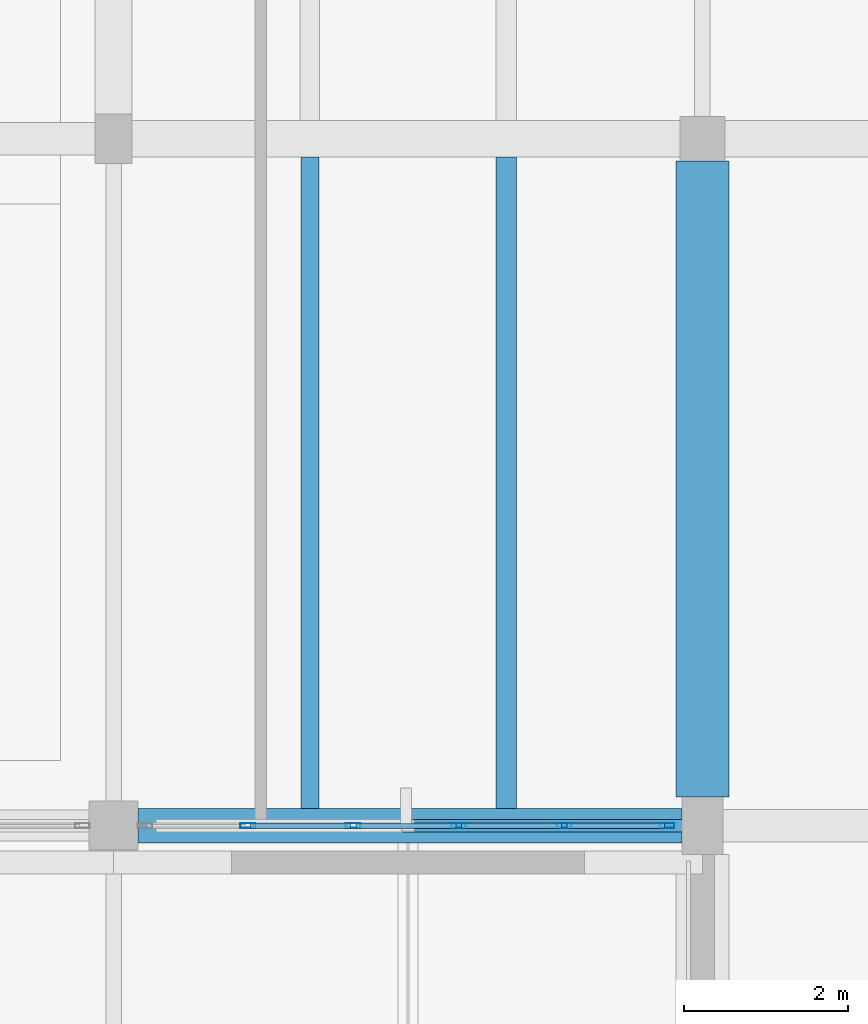
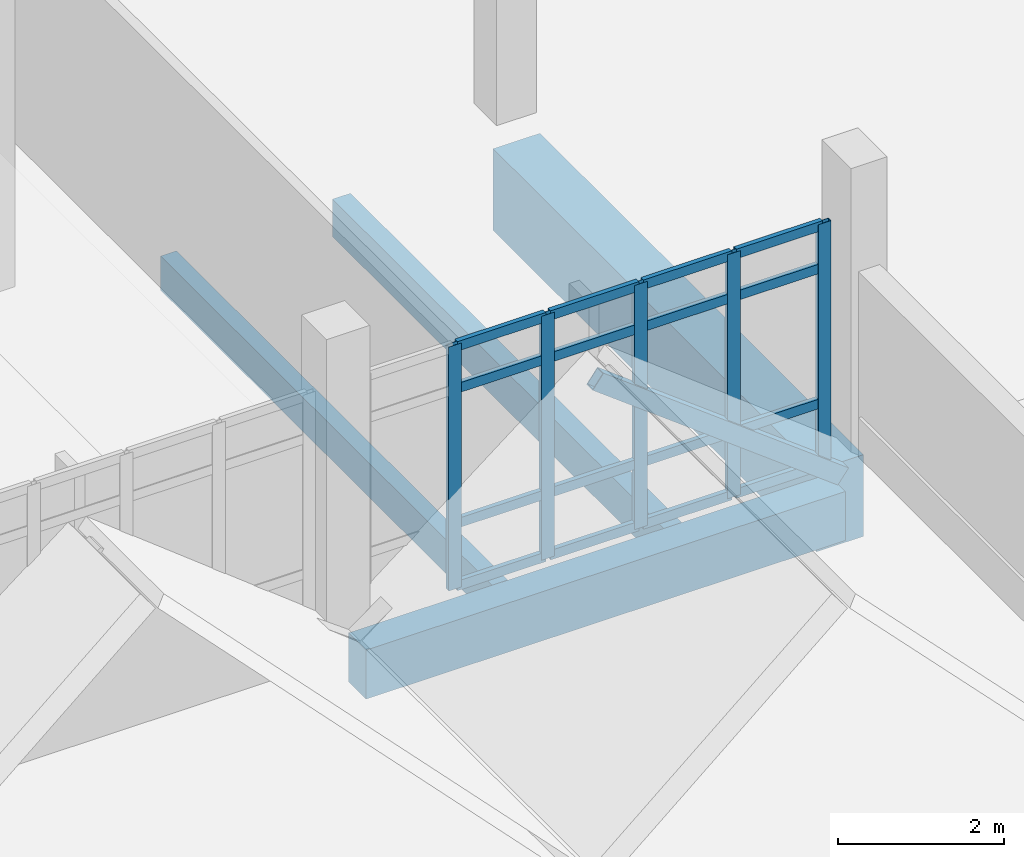
# One storey, part 11 of 41: 22 members, 4 beams, 1 element without a shape of its own.
"""IFC4 building model written with IfcOpenShell, lengths in metres."""

import ifcopenshell
import ifcopenshell.guid

model = None  # the IFC model being written
_history = None  # IfcOwnerHistory: only IFC2X3 demands one
_inside = {}  # id of a spatial element -> (the spatial element, [elements in it])
_under = {}  # id of a project, library or spatial element -> (it, [spatial elements below it])
_declared = {}  # id of a project -> (the project, [libraries it declares])
_typed = {}  # id of a type object -> (the type object, [elements of that type])
_made_of = {}  # id of a material, layer set ... -> (it, [elements and type objects made of it])


def new_model(schema):
    """Start an empty IFC model of exactly this schema.

    Asked for "IFC4X3", IfcOpenShell would pick the latest addendum, in which some entities
    have other attributes; the version numbers below select the first issue.
    IFC2X3 requires an IfcOwnerHistory on every rooted entity: one is made here for all.
    """
    global model, _history
    if schema == "IFC4X3":
        model = ifcopenshell.file(schema_version=(4, 3, 0, 0))
    else:
        model = ifcopenshell.file(schema=schema)
    _inside.clear()
    _under.clear()
    _declared.clear()
    _typed.clear()
    _made_of.clear()
    _history = None
    if model.schema == "IFC2X3":
        org = make("IfcOrganization", Name="unknown")
        user = make(
            "IfcPersonAndOrganization",
            ThePerson=make("IfcPerson", FamilyName="unknown"),
            TheOrganization=org,
        )
        app = make(
            "IfcApplication",
            ApplicationDeveloper=org,
            Version="unknown",
            ApplicationFullName="unknown",
            ApplicationIdentifier="unknown",
        )
        _history = make(
            "IfcOwnerHistory",
            OwningUser=user,
            OwningApplication=app,
            ChangeAction="ADDED",
            CreationDate=0,
        )
    return model


def make(cls, **values):
    """One entity of the class cls with the attributes given. An attribute that is None is left unset."""
    return model.create_entity(
        cls, **{name: value for name, value in values.items() if value is not None}
    )


def rooted(cls, **values):
    """An entity with a GlobalId (a new one), such as an element, a storey or a relation."""
    return make(cls, GlobalId=ifcopenshell.guid.new(), OwnerHistory=_history, **values)


def si_unit(unit_type, name, prefix=None):
    """IfcSIUnit, for example si_unit("LENGTHUNIT", "METRE", prefix="MILLI")."""
    return make("IfcSIUnit", UnitType=unit_type, Prefix=prefix, Name=name)


def assignment(units):
    """IfcUnitAssignment: the units of a project."""
    return None if units is None else make("IfcUnitAssignment", Units=units)


def point(xyz):
    """IfcCartesianPoint."""
    return None if xyz is None else make("IfcCartesianPoint", Coordinates=xyz)


def direction(xyz):
    """IfcDirection."""
    return None if xyz is None else make("IfcDirection", DirectionRatios=xyz)


def frame(location, z_axis=None, x_axis=None):
    """IfcAxis2Placement3D, a coordinate frame: its origin and axes. An axis left out is left unset."""
    return make(
        "IfcAxis2Placement3D",
        Location=point(location),
        Axis=direction(z_axis),
        RefDirection=direction(x_axis),
    )


def frame_2d(location, x_axis=None):
    """IfcAxis2Placement2D, a coordinate frame in the plane: its origin and x axis."""
    return make(
        "IfcAxis2Placement2D", Location=point(location), RefDirection=direction(x_axis)
    )


def origin():
    """The frame at (0, 0, 0) with its axes left unset."""
    return frame((0.0, 0.0, 0.0))


def origin_2d():
    """The frame at (0, 0) in the plane with its x axis left unset."""
    return frame_2d((0.0, 0.0))


def place(relative_to, where):
    """IfcLocalPlacement: puts the frame where relative to a parent placement (None: the world)."""
    return make(
        "IfcLocalPlacement", PlacementRelTo=relative_to, RelativePlacement=where
    )


def context(
    kind, dimensions, precision=None, world=None, true_north=None, identifier=None
):
    """IfcGeometricRepresentationContext, for example the 3D "Model" context."""
    return make(
        "IfcGeometricRepresentationContext",
        ContextIdentifier=identifier,
        ContextType=kind,
        CoordinateSpaceDimension=dimensions,
        Precision=precision,
        WorldCoordinateSystem=world,
        TrueNorth=true_north,
    )


def subcontext(parent, identifier, kind, view, scale=None):
    """IfcGeometricRepresentationSubContext, for example "Body" below "Model"."""
    return make(
        "IfcGeometricRepresentationSubContext",
        ContextIdentifier=identifier,
        ContextType=kind,
        ParentContext=parent,
        TargetScale=scale,
        TargetView=view,
    )


def project(units=None, contexts=None):
    """IfcProject with its units and contexts."""
    return rooted(
        "IfcProject",
        Name="project",
        RepresentationContexts=contexts,
        UnitsInContext=assignment(units),
    )


def spatial(cls, under=None, at=None, **own):
    """A site, building, storey or space (cls), placed at a placement, below another one or the project."""
    s = rooted(cls, ObjectPlacement=at, **own)
    if under is not None:
        _under.setdefault(under.id(), (under, []))[1].append(s)
    return s


def profile(cls, at=None, kind="AREA", **sizes):
    """A parametric profile (cls). Its sizes go by their IFC names, for example OverallWidth=200.0."""
    return make(cls, ProfileType=kind, Position=at, **sizes)


def rectangle(**sizes):
    """IfcRectangleProfileDef."""
    return profile("IfcRectangleProfileDef", **sizes)


def hollow_rectangle(**sizes):
    """IfcRectangleHollowProfileDef."""
    return profile("IfcRectangleHollowProfileDef", **sizes)


def extrude(swept, where, along, depth):
    """IfcExtrudedAreaSolid: the profile swept, set in the frame where, extruded along a direction by depth."""
    return make(
        "IfcExtrudedAreaSolid",
        SweptArea=swept,
        Position=where,
        ExtrudedDirection=direction(along),
        Depth=depth,
    )


def shape(context_of_items, identifier, shape_type, items):
    """IfcShapeRepresentation: the items that make up one representation, for example the "Body"."""
    return make(
        "IfcShapeRepresentation",
        ContextOfItems=context_of_items,
        RepresentationIdentifier=identifier,
        RepresentationType=shape_type,
        Items=items,
    )


def material(Name=None, Category=None):
    """IfcMaterial."""
    return make("IfcMaterial", Name=Name, Category=Category)


def material_profile(
    of_material, cross_section, Name=None, Category=None, Priority=None
):
    """IfcMaterialProfile: a cross section and its material."""
    return make(
        "IfcMaterialProfile",
        Name=Name,
        Material=of_material,
        Profile=cross_section,
        Priority=Priority,
        Category=Category,
    )


def profile_set(profiles, Name=None, composite=None):
    """IfcMaterialProfileSet."""
    return make(
        "IfcMaterialProfileSet",
        Name=Name,
        MaterialProfiles=profiles,
        CompositeProfile=composite,
    )


def made_of(thing, what):
    """Note that an element or type object is made of a material, layer set ...; save() writes the relation."""
    if what is not None:
        _made_of.setdefault(what.id(), (what, []))[1].append(thing)
    return thing


def type_object(cls, material=None, **own):
    """A type object (cls), such as IfcWallType, which elements share."""
    return made_of(rooted(cls, **own), material)


def element(
    cls,
    number,
    at=None,
    inside=None,
    cuts=None,
    type_object=None,
    material=None,
    context=None,
    identifier="Body",
    shape_type=None,
    held_by="IfcProductDefinitionShape",
    body=None,
    shapes=None,
    **own,
):
    """One element of the class cls, such as IfcWall. Its Tag is "e" and its number.

    at: its placement. inside: the storey or other place that contains it. cuts: it is an
    opening in that element (IfcRelVoidsElement). A single representation is given by context,
    identifier, shape_type and body (its items); several are given by shapes. held_by: the class
    of the entity that holds the representations. save() writes the other relations.
    """
    e = rooted(cls, Tag="e%d" % number, ObjectPlacement=at, **own)
    if body is not None:
        shapes = [shape(context, identifier, shape_type, body)]
    if shapes is not None:
        e.Representation = make(held_by, Representations=shapes)
    if inside is not None:
        _inside.setdefault(inside.id(), (inside, []))[1].append(e)
    if cuts is not None:
        rooted(
            "IfcRelVoidsElement", RelatingBuildingElement=cuts, RelatedOpeningElement=e
        )
    if type_object is not None:
        _typed.setdefault(type_object.id(), (type_object, []))[1].append(e)
    return made_of(e, material)


def aggregate(whole, parts):
    """IfcRelAggregates: a whole, such as a stair, and the parts it consists of."""
    return rooted("IfcRelAggregates", RelatingObject=whole, RelatedObjects=parts)


def save(model, path):
    """Write the relations noted so far, then the file.

    IfcRelAggregates (storeys below a building ...), IfcRelContainedInSpatialStructure (elements
    in a storey), IfcRelDefinesByType, IfcRelAssociatesMaterial and IfcRelDeclares: one each for
    every whole, place, type object, material and project.
    """
    for whole, parts in _under.values():
        aggregate(whole, parts)
    for where, things in _inside.values():
        rooted(
            "IfcRelContainedInSpatialStructure",
            RelatedElements=things,
            RelatingStructure=where,
        )
    for kind, things in _typed.values():
        rooted("IfcRelDefinesByType", RelatedObjects=things, RelatingType=kind)
    for what, things in _made_of.values():
        rooted("IfcRelAssociatesMaterial", RelatedObjects=things, RelatingMaterial=what)
    for by, libraries in _declared.values():
        rooted("IfcRelDeclares", RelatingContext=by, RelatedDefinitions=libraries)
    model.write(path)


model = new_model("IFC4")

# Units and contexts
model_context = context("Model", 3, precision=1e-05, world=origin(), true_north=direction((0.0, 1.0)))
body_context = subcontext(model_context, "Body", "Model", "MODEL_VIEW")
ifc_project = project(units=[si_unit("LENGTHUNIT", "METRE"), si_unit("AREAUNIT", "SQUARE_METRE"), si_unit("VOLUMEUNIT", "CUBIC_METRE"), si_unit("PLANEANGLEUNIT", "RADIAN"), si_unit("MASSUNIT", "GRAM", prefix="KILO")], contexts=[model_context])

# Site, building, storey
site_placement = place(None, origin())
site = spatial("IfcSite", under=ifc_project, at=site_placement, CompositionType="ELEMENT")
building_placement = place(site_placement, origin())
building = spatial("IfcBuilding", under=site, at=building_placement, Name="Kalluvel Institute of Natural Sciences", CompositionType="ELEMENT")
storey_placement = place(building_placement, frame((0.0, 0.0, 32.39990234375)))
storey = spatial("IfcBuildingStorey", under=building, at=storey_placement, Name="L07", CompositionType="ELEMENT", Elevation=32.39990234375)

# Beams
ifc_material_1 = material(Name="Concrete M40", Category="concrete")
ifc_material_profile_1 = material_profile(ifc_material_1, rectangle(XDim=0.419921875, YDim=0.719970703125, at=origin_2d()), Name="RCB 420x720")
ifc_profile_set_1 = profile_set([ifc_material_profile_1], Name="Concrete M40")
beam_type_1 = type_object("IfcBeamType", Name="BM-RC420x720", PredefinedType="BEAM", material=ifc_profile_set_1)
beam_1_placement = place(storey_placement, frame((28.699951171875, 102.800048828125, -0.679931640625), z_axis=(1.0, 0.0, 0.0), x_axis=(0.0, 1.0, 0.0)))
element("IfcBeam", 1, at=beam_1_placement, inside=storey, type_object=beam_type_1, Name="L07 girder GIR-L07-EW-X284-Y1028", PredefinedType="BEAM", context=body_context, shape_type="SweptSolid", body=[
    extrude(rectangle(XDim=0.419921875, YDim=0.719970703125, at=origin_2d()), origin(), (0.0, 0.0, 1.0), 6.650146484375),
])
ifc_material_2 = material(Name="Concrete M50", Category="concrete")
ifc_material_profile_2 = material_profile(ifc_material_2, rectangle(XDim=0.64990234375, YDim=1.199951171875, at=origin_2d()), Name="RCB 650x1200")
ifc_profile_set_2 = profile_set([ifc_material_profile_2], Name="Concrete M50")
beam_type_2 = type_object("IfcBeamType", Name="BM-RC650x1200", PredefinedType="BEAM", material=ifc_profile_set_2)
beam_2_placement = place(storey_placement, frame((35.60009765625, 103.14990234375, -0.919921875), z_axis=(0.0, 1.0, 0.0), x_axis=(-1.0, 0.0, 0.0)))
element("IfcBeam", 2, at=beam_2_placement, inside=storey, type_object=beam_type_2, Name="L07 girder GIR-L07-NS-X356-Y1028", PredefinedType="BEAM", context=body_context, shape_type="SweptSolid", body=[
    extrude(rectangle(XDim=0.64990234375, YDim=1.199951171875, at=origin_2d()), origin(), (0.0, 0.0, 1.0), 7.775146484375),
])

# Curtain wall, members
ifc_material_3 = material(Name="Aluminium AW-6063 T6", Category="aluminium")
curtain_wall_type = type_object("IfcCurtainWallType", Name="CW-WET-45", PredefinedType="USERDEFINED", material=ifc_material_3)
curtain_wall_placement = place(storey_placement, origin())
curtain_wall = element("IfcCurtainWall", 3, at=curtain_wall_placement, inside=storey, type_object=curtain_wall_type, Name="L07 Gothic lancet curtain wall CWA-L07-X288-Y1028", ObjectType="UNITISED LANCET FACADE", PredefinedType="USERDEFINED")
ifc_material_profile_3 = material_profile(ifc_material_3, hollow_rectangle(XDim=0.06494140625, YDim=0.179931640625, WallThickness=0.00439453125, at=origin_2d()), Name="CWM 65x180")
ifc_profile_set_3 = profile_set([ifc_material_profile_3], Name="Aluminium AW-6063 T6")
member_type_1 = type_object("IfcMemberType", Name="CWM-65x180", PredefinedType="MULLION", material=ifc_profile_set_3)
member_1_placement = place(storey_placement, frame((30.0400390625, 102.800048828125, 0.0), z_axis=(0.0, 0.0, 1.0), x_axis=(0.0, 1.0, 0.0)))
member_1 = element("IfcMember", 4, at=member_1_placement, type_object=member_type_1, Name="CW-01 mullion 2", PredefinedType="MULLION", context=body_context, shape_type="SweptSolid", body=[
    extrude(hollow_rectangle(XDim=0.06494140625, YDim=0.179931640625, WallThickness=0.00439453125, at=origin_2d()), origin(), (0.0, 0.0, 1.0), 3.580078125),
])
member_2_placement = place(storey_placement, frame((31.330078125, 102.800048828125, 0.0), z_axis=(0.0, 0.0, 1.0), x_axis=(0.0, 1.0, 0.0)))
member_2 = element("IfcMember", 5, at=member_2_placement, type_object=member_type_1, Name="CW-01 mullion 3", PredefinedType="MULLION", context=body_context, shape_type="SweptSolid", body=[
    extrude(hollow_rectangle(XDim=0.06494140625, YDim=0.179931640625, WallThickness=0.00439453125, at=origin_2d()), origin(), (0.0, 0.0, 1.0), 3.580078125),
])
member_3_placement = place(storey_placement, frame((32.6201171875, 102.800048828125, 0.0), z_axis=(0.0, 0.0, 1.0), x_axis=(0.0, 1.0, 0.0)))
member_3 = element("IfcMember", 6, at=member_3_placement, type_object=member_type_1, Name="CW-01 mullion 4", PredefinedType="MULLION", context=body_context, shape_type="SweptSolid", body=[
    extrude(hollow_rectangle(XDim=0.06494140625, YDim=0.179931640625, WallThickness=0.00439453125, at=origin_2d()), origin(), (0.0, 0.0, 1.0), 3.580078125),
])
member_4_placement = place(storey_placement, frame((33.909912109375, 102.800048828125, 0.0), z_axis=(0.0, 0.0, 1.0), x_axis=(0.0, 1.0, 0.0)))
member_4 = element("IfcMember", 7, at=member_4_placement, type_object=member_type_1, Name="CW-01 mullion 5", PredefinedType="MULLION", context=body_context, shape_type="SweptSolid", body=[
    extrude(hollow_rectangle(XDim=0.06494140625, YDim=0.179931640625, WallThickness=0.00439453125, at=origin_2d()), origin(), (0.0, 0.0, 1.0), 3.580078125),
])
member_5_placement = place(storey_placement, frame((35.16748046875, 102.800048828125, 0.0), z_axis=(0.0, 0.0, 1.0), x_axis=(0.0, 1.0, 0.0)))
member_5 = element("IfcMember", 8, at=member_5_placement, type_object=member_type_1, Name="CW-01 mullion 6", PredefinedType="MULLION", context=body_context, shape_type="SweptSolid", body=[
    extrude(hollow_rectangle(XDim=0.06494140625, YDim=0.179931640625, WallThickness=0.00439453125, at=origin_2d()), origin(), (0.0, 0.0, 1.0), 3.580078125),
])
ifc_material_profile_4 = material_profile(ifc_material_3, hollow_rectangle(XDim=0.06494140625, YDim=0.139892578125, WallThickness=0.00439453125, at=origin_2d()), Name="CWT 65x140")
ifc_profile_set_4 = profile_set([ifc_material_profile_4], Name="Aluminium AW-6063 T6")
member_type_2 = type_object("IfcMemberType", Name="CWT-65x140", PredefinedType="USERDEFINED", material=ifc_profile_set_4)
member_6_placement = place(storey_placement, frame((30.072509765625, 102.800048828125, 0.03271484375), z_axis=(1.0, 0.0, 0.0), x_axis=(0.0, 1.0, 0.0)))
member_6 = element("IfcMember", 9, at=member_6_placement, type_object=member_type_2, Name="CW-01 transom 2.1", ObjectType="TRANSOM", PredefinedType="USERDEFINED", context=body_context, shape_type="SweptSolid", body=[
    extrude(hollow_rectangle(XDim=0.06494140625, YDim=0.139892578125, WallThickness=0.00439453125, at=origin_2d()), origin(), (0.0, 0.0, 1.0), 1.22509765625),
])
member_7_placement = place(storey_placement, frame((30.072509765625, 102.800048828125, 0.9501953125), z_axis=(1.0, 0.0, 0.0), x_axis=(0.0, 1.0, 0.0)))
member_7 = element("IfcMember", 10, at=member_7_placement, type_object=member_type_2, Name="CW-01 transom 2.2", ObjectType="TRANSOM", PredefinedType="USERDEFINED", context=body_context, shape_type="SweptSolid", body=[
    extrude(hollow_rectangle(XDim=0.06494140625, YDim=0.139892578125, WallThickness=0.00439453125, at=origin_2d()), origin(), (0.0, 0.0, 1.0), 1.22509765625),
])
member_8_placement = place(storey_placement, frame((30.072509765625, 102.800048828125, 2.93017578125), z_axis=(1.0, 0.0, 0.0), x_axis=(0.0, 1.0, 0.0)))
member_8 = element("IfcMember", 11, at=member_8_placement, type_object=member_type_2, Name="CW-01 transom 2.3", ObjectType="TRANSOM", PredefinedType="USERDEFINED", context=body_context, shape_type="SweptSolid", body=[
    extrude(hollow_rectangle(XDim=0.06494140625, YDim=0.139892578125, WallThickness=0.00439453125, at=origin_2d()), origin(), (0.0, 0.0, 1.0), 1.22509765625),
])
member_9_placement = place(storey_placement, frame((30.072509765625, 102.800048828125, 3.547607421875), z_axis=(1.0, 0.0, 0.0), x_axis=(0.0, 1.0, 0.0)))
member_9 = element("IfcMember", 12, at=member_9_placement, type_object=member_type_2, Name="CW-01 transom 2.4", ObjectType="TRANSOM", PredefinedType="USERDEFINED", context=body_context, shape_type="SweptSolid", body=[
    extrude(hollow_rectangle(XDim=0.06494140625, YDim=0.139892578125, WallThickness=0.00439453125, at=origin_2d()), origin(), (0.0, 0.0, 1.0), 1.22509765625),
])
member_10_placement = place(storey_placement, frame((31.362548828125, 102.800048828125, 0.03271484375), z_axis=(1.0, 0.0, 0.0), x_axis=(0.0, 1.0, 0.0)))
member_10 = element("IfcMember", 13, at=member_10_placement, type_object=member_type_2, Name="CW-01 transom 3.1", ObjectType="TRANSOM", PredefinedType="USERDEFINED", context=body_context, shape_type="SweptSolid", body=[
    extrude(hollow_rectangle(XDim=0.06494140625, YDim=0.139892578125, WallThickness=0.00439453125, at=origin_2d()), origin(), (0.0, 0.0, 1.0), 1.224853515625),
])
member_11_placement = place(storey_placement, frame((31.362548828125, 102.800048828125, 0.9501953125), z_axis=(1.0, 0.0, 0.0), x_axis=(0.0, 1.0, 0.0)))
member_11 = element("IfcMember", 14, at=member_11_placement, type_object=member_type_2, Name="CW-01 transom 3.2", ObjectType="TRANSOM", PredefinedType="USERDEFINED", context=body_context, shape_type="SweptSolid", body=[
    extrude(hollow_rectangle(XDim=0.06494140625, YDim=0.139892578125, WallThickness=0.00439453125, at=origin_2d()), origin(), (0.0, 0.0, 1.0), 1.224853515625),
])
member_12_placement = place(storey_placement, frame((31.362548828125, 102.800048828125, 2.93017578125), z_axis=(1.0, 0.0, 0.0), x_axis=(0.0, 1.0, 0.0)))
member_12 = element("IfcMember", 15, at=member_12_placement, type_object=member_type_2, Name="CW-01 transom 3.3", ObjectType="TRANSOM", PredefinedType="USERDEFINED", context=body_context, shape_type="SweptSolid", body=[
    extrude(hollow_rectangle(XDim=0.06494140625, YDim=0.139892578125, WallThickness=0.00439453125, at=origin_2d()), origin(), (0.0, 0.0, 1.0), 1.224853515625),
])
member_13_placement = place(storey_placement, frame((31.362548828125, 102.800048828125, 3.547607421875), z_axis=(1.0, 0.0, 0.0), x_axis=(0.0, 1.0, 0.0)))
member_13 = element("IfcMember", 16, at=member_13_placement, type_object=member_type_2, Name="CW-01 transom 3.4", ObjectType="TRANSOM", PredefinedType="USERDEFINED", context=body_context, shape_type="SweptSolid", body=[
    extrude(hollow_rectangle(XDim=0.06494140625, YDim=0.139892578125, WallThickness=0.00439453125, at=origin_2d()), origin(), (0.0, 0.0, 1.0), 1.224853515625),
])
member_14_placement = place(storey_placement, frame((32.652587890625, 102.800048828125, 0.03271484375), z_axis=(1.0, 0.0, 0.0), x_axis=(0.0, 1.0, 0.0)))
member_14 = element("IfcMember", 17, at=member_14_placement, type_object=member_type_2, Name="CW-01 transom 4.1", ObjectType="TRANSOM", PredefinedType="USERDEFINED", context=body_context, shape_type="SweptSolid", body=[
    extrude(hollow_rectangle(XDim=0.06494140625, YDim=0.139892578125, WallThickness=0.00439453125, at=origin_2d()), origin(), (0.0, 0.0, 1.0), 1.224853515625),
])
member_15_placement = place(storey_placement, frame((32.652587890625, 102.800048828125, 0.9501953125), z_axis=(1.0, 0.0, 0.0), x_axis=(0.0, 1.0, 0.0)))
member_15 = element("IfcMember", 18, at=member_15_placement, type_object=member_type_2, Name="CW-01 transom 4.2", ObjectType="TRANSOM", PredefinedType="USERDEFINED", context=body_context, shape_type="SweptSolid", body=[
    extrude(hollow_rectangle(XDim=0.06494140625, YDim=0.139892578125, WallThickness=0.00439453125, at=origin_2d()), origin(), (0.0, 0.0, 1.0), 1.224853515625),
])
member_16_placement = place(storey_placement, frame((32.652587890625, 102.800048828125, 2.93017578125), z_axis=(1.0, 0.0, 0.0), x_axis=(0.0, 1.0, 0.0)))
member_16 = element("IfcMember", 19, at=member_16_placement, type_object=member_type_2, Name="CW-01 transom 4.3", ObjectType="TRANSOM", PredefinedType="USERDEFINED", context=body_context, shape_type="SweptSolid", body=[
    extrude(hollow_rectangle(XDim=0.06494140625, YDim=0.139892578125, WallThickness=0.00439453125, at=origin_2d()), origin(), (0.0, 0.0, 1.0), 1.224853515625),
])
member_17_placement = place(storey_placement, frame((32.652587890625, 102.800048828125, 3.547607421875), z_axis=(1.0, 0.0, 0.0), x_axis=(0.0, 1.0, 0.0)))
member_17 = element("IfcMember", 20, at=member_17_placement, type_object=member_type_2, Name="CW-01 transom 4.4", ObjectType="TRANSOM", PredefinedType="USERDEFINED", context=body_context, shape_type="SweptSolid", body=[
    extrude(hollow_rectangle(XDim=0.06494140625, YDim=0.139892578125, WallThickness=0.00439453125, at=origin_2d()), origin(), (0.0, 0.0, 1.0), 1.224853515625),
])
member_18_placement = place(storey_placement, frame((33.9423828125, 102.800048828125, 0.03271484375), z_axis=(1.0, 0.0, 0.0), x_axis=(0.0, 1.0, 0.0)))
member_18 = element("IfcMember", 21, at=member_18_placement, type_object=member_type_2, Name="CW-01 transom 5.1", ObjectType="TRANSOM", PredefinedType="USERDEFINED", context=body_context, shape_type="SweptSolid", body=[
    extrude(hollow_rectangle(XDim=0.06494140625, YDim=0.139892578125, WallThickness=0.00439453125, at=origin_2d()), origin(), (0.0, 0.0, 1.0), 1.192626953125),
])
member_19_placement = place(storey_placement, frame((33.9423828125, 102.800048828125, 0.9501953125), z_axis=(1.0, 0.0, 0.0), x_axis=(0.0, 1.0, 0.0)))
member_19 = element("IfcMember", 22, at=member_19_placement, type_object=member_type_2, Name="CW-01 transom 5.2", ObjectType="TRANSOM", PredefinedType="USERDEFINED", context=body_context, shape_type="SweptSolid", body=[
    extrude(hollow_rectangle(XDim=0.06494140625, YDim=0.139892578125, WallThickness=0.00439453125, at=origin_2d()), origin(), (0.0, 0.0, 1.0), 1.192626953125),
])
member_20_placement = place(storey_placement, frame((33.9423828125, 102.800048828125, 2.93017578125), z_axis=(1.0, 0.0, 0.0), x_axis=(0.0, 1.0, 0.0)))
member_20 = element("IfcMember", 23, at=member_20_placement, type_object=member_type_2, Name="CW-01 transom 5.3", ObjectType="TRANSOM", PredefinedType="USERDEFINED", context=body_context, shape_type="SweptSolid", body=[
    extrude(hollow_rectangle(XDim=0.06494140625, YDim=0.139892578125, WallThickness=0.00439453125, at=origin_2d()), origin(), (0.0, 0.0, 1.0), 1.192626953125),
])
member_21_placement = place(storey_placement, frame((33.9423828125, 102.800048828125, 3.547607421875), z_axis=(1.0, 0.0, 0.0), x_axis=(0.0, 1.0, 0.0)))
member_21 = element("IfcMember", 24, at=member_21_placement, type_object=member_type_2, Name="CW-01 transom 5.4", ObjectType="TRANSOM", PredefinedType="USERDEFINED", context=body_context, shape_type="SweptSolid", body=[
    extrude(hollow_rectangle(XDim=0.06494140625, YDim=0.139892578125, WallThickness=0.00439453125, at=origin_2d()), origin(), (0.0, 0.0, 1.0), 1.192626953125),
])
aggregate(curtain_wall, [member_1, member_2, member_3, member_4, member_5, member_6, member_7, member_8, member_9, member_10, member_11, member_12, member_13, member_14, member_15, member_16, member_17, member_18, member_19, member_20, member_21])

# Member
ifc_material_4 = material(Name="Steel E350 Grade 350", Category="steel")
ifc_material_profile_5 = material_profile(ifc_material_4, hollow_rectangle(XDim=0.14990234375, YDim=0.25, WallThickness=0.010009765625, at=origin_2d()), Name="RHS 250x150x10")
ifc_profile_set_5 = profile_set([ifc_material_profile_5], Name="Steel E350 Grade 350")
member_type_3 = type_object("IfcMemberType", Name="MB-RAFT-RHS250", PredefinedType="RAFTER", material=ifc_profile_set_5)
member_22_placement = place(storey_placement, frame((35.39990234375, 102.800048828125, -0.199951171875), z_axis=(-0.796596284013, 0.0, 0.604511670935), x_axis=(0.0, -1.0, 0.0)))
element("IfcMember", 25, at=member_22_placement, inside=storey, type_object=member_type_3, Name="Dry Wing Gothic roof rafter E3-102", PredefinedType="RAFTER", context=body_context, shape_type="SweptSolid", body=[
    extrude(hollow_rectangle(XDim=0.14990234375, YDim=0.25, WallThickness=0.010009765625, at=origin_2d()), origin(), (0.0, 0.0, 1.0), 4.26806640625),
])

# Beams
ifc_material_profile_6 = material_profile(ifc_material_1, rectangle(XDim=0.219970703125, YDim=0.5, at=origin_2d()), Name="WAF 220x500")
ifc_profile_set_6 = profile_set([ifc_material_profile_6], Name="Concrete M40")
beam_type_3 = type_object("IfcBeamType", Name="WJ-220x500", PredefinedType="JOIST", material=ifc_profile_set_6)
beam_3_placement = place(storey_placement, frame((30.800048828125, 103.010009765625, -0.56982421875), z_axis=(0.0, 1.0, 0.0), x_axis=(-1.0, 0.0, 0.0)))
element("IfcBeam", 26, at=beam_3_placement, inside=storey, type_object=beam_type_3, Name="L07 waffle joist RIB-L07-0522", PredefinedType="JOIST", context=body_context, shape_type="SweptSolid", body=[
    extrude(rectangle(XDim=0.219970703125, YDim=0.5, at=origin_2d()), origin(), (0.0, 0.0, 1.0), 7.965087890625),
])
ifc_material_profile_7 = material_profile(ifc_material_1, rectangle(XDim=0.25, YDim=0.550048828125, at=origin_2d()), Name="WAF 250x550")
ifc_profile_set_7 = profile_set([ifc_material_profile_7], Name="Concrete M40")
beam_type_4 = type_object("IfcBeamType", Name="WJ-250x550", PredefinedType="JOIST", material=ifc_profile_set_7)
beam_4_placement = place(storey_placement, frame((33.199951171875, 103.010009765625, -0.594970703125), z_axis=(0.0, 1.0, 0.0), x_axis=(-1.0, 0.0, 0.0)))
element("IfcBeam", 27, at=beam_4_placement, inside=storey, type_object=beam_type_4, Name="L07 waffle joist RIB-L07-0523", PredefinedType="JOIST", context=body_context, shape_type="SweptSolid", body=[
    extrude(rectangle(XDim=0.25, YDim=0.550048828125, at=origin_2d()), origin(), (0.0, 0.0, 1.0), 7.965087890625),
])

save(model, "model.ifc")
